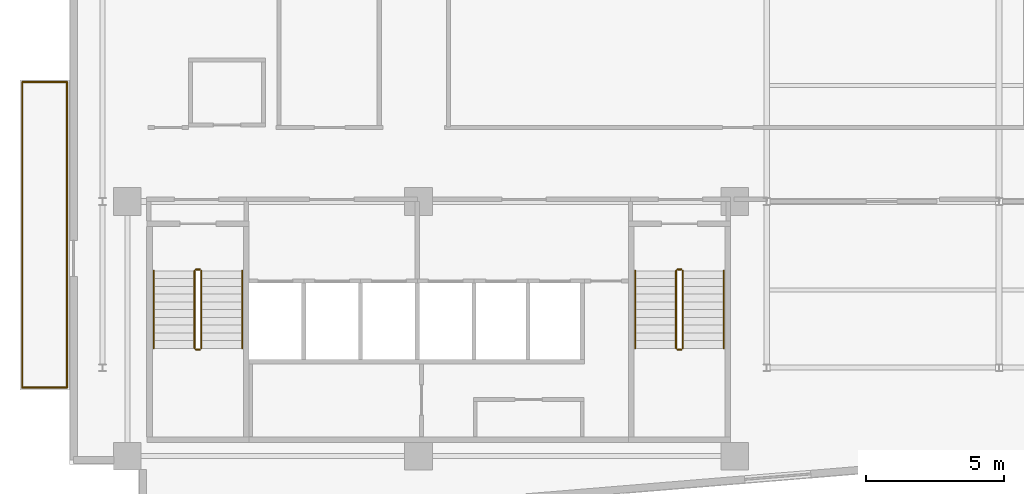
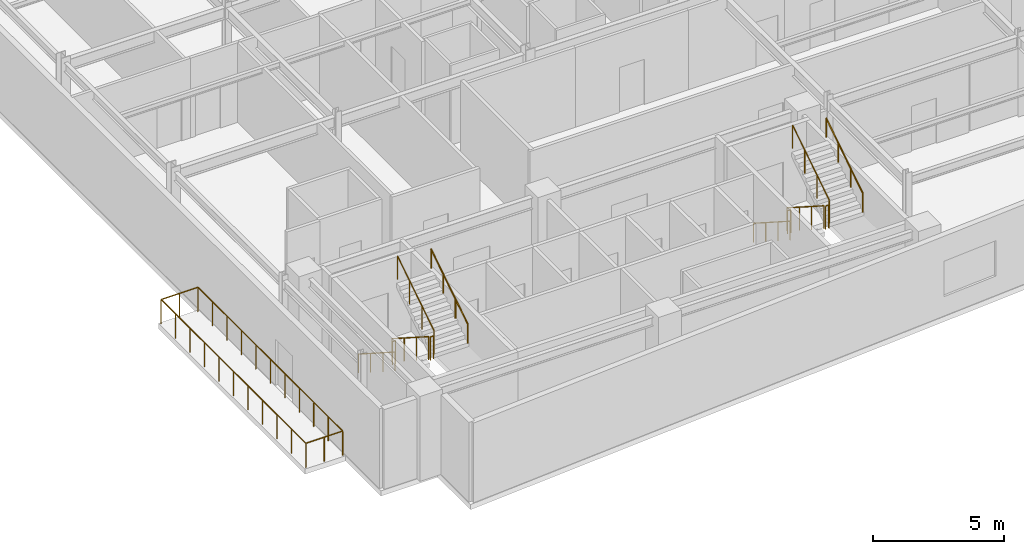
# One storey, part 15 of 17: 16 railings.
"""IFC4 building model written with IfcOpenShell, lengths in metres."""

from ifc_helpers import new_model, si_unit, direction, frame, origin, origin_2d, place, context, subcontext, project, spatial, circle, extrude, material, type_object, element, save


model = new_model("IFC4")

# Units and contexts
model_context = context("Model", 3, precision=1e-05, world=origin(), true_north=direction((0.0, 1.0)))
body_context = subcontext(model_context, "Body", "Model", "MODEL_VIEW")
ifc_project = project(units=[si_unit("LENGTHUNIT", "METRE"), si_unit("AREAUNIT", "SQUARE_METRE"), si_unit("VOLUMEUNIT", "CUBIC_METRE"), si_unit("PLANEANGLEUNIT", "RADIAN"), si_unit("MASSUNIT", "GRAM", prefix="KILO")], contexts=[model_context])

# Site, building, storey
site_placement = place(None, origin())
site = spatial("IfcSite", under=ifc_project, at=site_placement, CompositionType="ELEMENT")
building_placement = place(site_placement, origin())
building = spatial("IfcBuilding", under=site, at=building_placement, Name="Varnakote Quay Hospital", CompositionType="ELEMENT")
storey_placement = place(building_placement, frame((0.0, 0.0, 219.75)))
storey = spatial("IfcBuildingStorey", under=building, at=storey_placement, Name="L54", CompositionType="ELEMENT", Elevation=219.75)

# Railings
ifc_material_1 = material(Name="Anodised aluminium 6063-T6 Bronze", Category="aluminium")
railing_type_1 = type_object("IfcRailingType", Name="RLG-EXT-GUARD-1150", PredefinedType="GUARDRAIL", material=ifc_material_1)
railing_1_placement = place(storey_placement, frame((-0.075927734375, 5.280029296875, 0.0)))
element("IfcRailing", 1, at=railing_1_placement, inside=storey, type_object=railing_type_1, Name="L54 Zigzag Prow Healing Terrace Safety Guard", PredefinedType="GUARDRAIL", context=body_context, shape_type="SweptSolid", body=[
    extrude(circle(Radius=0.02392578125, at=origin_2d()), frame((0.0, 0.0, 1.1259765625), z_axis=(-1.0, 0.0, 0.0), x_axis=(0.0, -1.0, 0.0)), (0.0, 0.0, 1.0), 1.6240234375),
    extrude(circle(Radius=0.02099609375, at=origin_2d()), origin(), (0.0, 0.0, 1.0), 1.101806640625),
    extrude(circle(Radius=0.02099609375, at=origin_2d()), frame((-0.81201171875, 0.0, 0.0)), (0.0, 0.0, 1.0), 1.101806640625),
    extrude(circle(Radius=0.02099609375, at=origin_2d()), frame((-1.6240234375, 0.0, 0.0)), (0.0, 0.0, 1.0), 1.101806640625),
])
railing_2_placement = place(storey_placement, frame((-1.699951171875, 5.280029296875, 0.0)))
element("IfcRailing", 2, at=railing_2_placement, inside=storey, type_object=railing_type_1, Name="L54 Zigzag Prow Healing Terrace Safety Guard", PredefinedType="GUARDRAIL", context=body_context, shape_type="SweptSolid", body=[
    extrude(circle(Radius=0.02392578125, at=origin_2d()), frame((0.0, 0.0, 1.1259765625), z_axis=(0.0, 1.0, 0.0), x_axis=(-1.0, 0.0, 0.0)), (0.0, 0.0, 1.0), 11.0400390625),
    extrude(circle(Radius=0.02099609375, at=origin_2d()), origin(), (0.0, 0.0, 1.0), 1.101806640625),
    extrude(circle(Radius=0.02099609375, at=origin_2d()), frame((0.0, 1.10400390625, 0.0)), (0.0, 0.0, 1.0), 1.101806640625),
    extrude(circle(Radius=0.02099609375, at=origin_2d()), frame((0.0, 2.2080078125, 0.0)), (0.0, 0.0, 1.0), 1.101806640625),
    extrude(circle(Radius=0.02099609375, at=origin_2d()), frame((0.0, 3.31201171875, 0.0)), (0.0, 0.0, 1.0), 1.101806640625),
    extrude(circle(Radius=0.02099609375, at=origin_2d()), frame((0.0, 4.416015625, 0.0)), (0.0, 0.0, 1.0), 1.101806640625),
    extrude(circle(Radius=0.02099609375, at=origin_2d()), frame((0.0, 5.52001953125, 0.0)), (0.0, 0.0, 1.0), 1.101806640625),
    extrude(circle(Radius=0.02099609375, at=origin_2d()), frame((0.0, 6.6240234375, 0.0)), (0.0, 0.0, 1.0), 1.101806640625),
    extrude(circle(Radius=0.02099609375, at=origin_2d()), frame((0.0, 7.72802734375, 0.0)), (0.0, 0.0, 1.0), 1.101806640625),
    extrude(circle(Radius=0.02099609375, at=origin_2d()), frame((0.0, 8.83203125, 0.0)), (0.0, 0.0, 1.0), 1.101806640625),
    extrude(circle(Radius=0.02099609375, at=origin_2d()), frame((0.0, 9.93603515625, 0.0)), (0.0, 0.0, 1.0), 1.101806640625),
    extrude(circle(Radius=0.02099609375, at=origin_2d()), frame((0.0, 11.0400390625, 0.0)), (0.0, 0.0, 1.0), 1.101806640625),
])
railing_3_placement = place(storey_placement, frame((-1.699951171875, 16.320068359375, 0.0)))
element("IfcRailing", 3, at=railing_3_placement, inside=storey, type_object=railing_type_1, Name="L54 Zigzag Prow Healing Terrace Safety Guard", PredefinedType="GUARDRAIL", context=body_context, shape_type="SweptSolid", body=[
    extrude(circle(Radius=0.02392578125, at=origin_2d()), frame((0.0, 0.0, 1.1259765625), z_axis=(1.0, 0.0, 0.0), x_axis=(0.0, 1.0, 0.0)), (0.0, 0.0, 1.0), 1.6240234375),
    extrude(circle(Radius=0.02099609375, at=origin_2d()), origin(), (0.0, 0.0, 1.0), 1.101806640625),
    extrude(circle(Radius=0.02099609375, at=origin_2d()), frame((0.81201171875, 0.0, 0.0)), (0.0, 0.0, 1.0), 1.101806640625),
    extrude(circle(Radius=0.02099609375, at=origin_2d()), frame((1.6240234375, 0.0, 0.0)), (0.0, 0.0, 1.0), 1.101806640625),
])
railing_4_placement = place(storey_placement, frame((-0.075927734375, 16.320068359375, 0.0)))
element("IfcRailing", 4, at=railing_4_placement, inside=storey, type_object=railing_type_1, Name="L54 Zigzag Prow Healing Terrace Safety Guard", PredefinedType="GUARDRAIL", context=body_context, shape_type="SweptSolid", body=[
    extrude(circle(Radius=0.02392578125, at=origin_2d()), frame((0.0, 0.0, 1.1259765625), z_axis=(0.0, -1.0, 0.0), x_axis=(1.0, 0.0, 0.0)), (0.0, 0.0, 1.0), 11.0400390625),
    extrude(circle(Radius=0.02099609375, at=origin_2d()), origin(), (0.0, 0.0, 1.0), 1.101806640625),
    extrude(circle(Radius=0.02099609375, at=origin_2d()), frame((0.0, -1.10400390625, 0.0)), (0.0, 0.0, 1.0), 1.101806640625),
    extrude(circle(Radius=0.02099609375, at=origin_2d()), frame((0.0, -2.2080078125, 0.0)), (0.0, 0.0, 1.0), 1.101806640625),
    extrude(circle(Radius=0.02099609375, at=origin_2d()), frame((0.0, -3.31201171875, 0.0)), (0.0, 0.0, 1.0), 1.101806640625),
    extrude(circle(Radius=0.02099609375, at=origin_2d()), frame((0.0, -4.416015625, 0.0)), (0.0, 0.0, 1.0), 1.101806640625),
    extrude(circle(Radius=0.02099609375, at=origin_2d()), frame((0.0, -5.52001953125, 0.0)), (0.0, 0.0, 1.0), 1.101806640625),
    extrude(circle(Radius=0.02099609375, at=origin_2d()), frame((0.0, -6.6240234375, 0.0)), (0.0, 0.0, 1.0), 1.101806640625),
    extrude(circle(Radius=0.02099609375, at=origin_2d()), frame((0.0, -7.72802734375, 0.0)), (0.0, 0.0, 1.0), 1.101806640625),
    extrude(circle(Radius=0.02099609375, at=origin_2d()), frame((0.0, -8.83203125, 0.0)), (0.0, 0.0, 1.0), 1.101806640625),
    extrude(circle(Radius=0.02099609375, at=origin_2d()), frame((0.0, -9.93603515625, 0.0)), (0.0, 0.0, 1.0), 1.101806640625),
    extrude(circle(Radius=0.02099609375, at=origin_2d()), frame((0.0, -11.0400390625, 0.0)), (0.0, 0.0, 1.0), 1.101806640625),
])
ifc_material_2 = material(Name="Brushed stainless steel balustrade", Category="steel")
railing_type_2 = type_object("IfcRailingType", Name="RLG-STAIR-GUARD-1150", PredefinedType="GUARDRAIL", material=ifc_material_2)
railing_5_placement = place(storey_placement, frame((4.530029296875, 9.5, 0.179443359375)))
element("IfcRailing", 5, at=railing_5_placement, inside=storey, type_object=railing_type_2, Name="L54 ST-01 stair guard 1", PredefinedType="GUARDRAIL", context=body_context, shape_type="SweptSolid", body=[
    extrude(circle(Radius=0.02392578125, at=origin_2d()), frame((0.0, 0.0, 1.076171875), z_axis=(0.0, -0.841776520102, 0.539826166654), x_axis=(1.0, 0.0, 0.0)), (0.0, 0.0, 1.0), 3.326416015625),
    extrude(circle(Radius=0.02099609375, at=origin_2d()), origin(), (0.0, 0.0, 1.0), 1.052001953125),
    extrude(circle(Radius=0.02099609375, at=origin_2d()), frame((0.0, -0.933349609375, 0.5986328125)), (0.0, 0.0, 1.0), 1.052001953125),
    extrude(circle(Radius=0.02099609375, at=origin_2d()), frame((0.0, -1.86669921875, 1.197021484375)), (0.0, 0.0, 1.0), 1.052001953125),
    extrude(circle(Radius=0.02099609375, at=origin_2d()), frame((0.0, -2.800048828125, 1.795654296875)), (0.0, 0.0, 1.0), 1.052001953125),
])
railing_6_placement = place(storey_placement, frame((4.580078125, 6.64990234375, 1.97509765625)))
element("IfcRailing", 6, at=railing_6_placement, inside=storey, type_object=railing_type_2, Name="L54 ST-01 stair guard 2", PredefinedType="GUARDRAIL", context=body_context, shape_type="SweptSolid", body=[
    extrude(circle(Radius=0.02392578125, at=origin_2d()), frame((0.0, 0.0, 1.076171875), z_axis=(1.0, 0.0, 0.0), x_axis=(0.0, 1.0, 0.0)), (0.0, 0.0, 1.0), 0.139892578125),
    extrude(circle(Radius=0.02099609375, at=origin_2d()), origin(), (0.0, 0.0, 1.0), 1.052001953125),
    extrude(circle(Radius=0.02099609375, at=origin_2d()), frame((0.139892578125, 0.0, 0.0)), (0.0, 0.0, 1.0), 1.052001953125),
])
railing_7_placement = place(storey_placement, frame((4.77001953125, 6.699951171875, 2.154541015625)))
element("IfcRailing", 7, at=railing_7_placement, inside=storey, type_object=railing_type_2, Name="L54 ST-01 stair guard 3", PredefinedType="GUARDRAIL", context=body_context, shape_type="SweptSolid", body=[
    extrude(circle(Radius=0.02392578125, at=origin_2d()), frame((0.0, 0.0, 1.076171875), z_axis=(0.0, 0.841809871826, 0.539774156196), x_axis=(-1.0, 0.0, 0.0)), (0.0, 0.0, 1.0), 3.326171875),
    extrude(circle(Radius=0.02099609375, at=origin_2d()), origin(), (0.0, 0.0, 1.0), 1.052001953125),
    extrude(circle(Radius=0.02099609375, at=origin_2d()), frame((0.0, 0.933349609375, 0.598388671875)), (0.0, 0.0, 1.0), 1.052001953125),
    extrude(circle(Radius=0.02099609375, at=origin_2d()), frame((0.0, 1.86669921875, 1.197021484375)), (0.0, 0.0, 1.0), 1.052001953125),
    extrude(circle(Radius=0.02099609375, at=origin_2d()), frame((0.0, 2.800048828125, 1.79541015625)), (0.0, 0.0, 1.0), 1.052001953125),
])
railing_8_placement = place(storey_placement, frame((4.580078125, 9.550048828125, 0.0)))
element("IfcRailing", 8, at=railing_8_placement, inside=storey, type_object=railing_type_2, Name="L54 ST-01 stair guard 4", PredefinedType="GUARDRAIL", context=body_context, shape_type="SweptSolid", body=[
    extrude(circle(Radius=0.02392578125, at=origin_2d()), frame((0.0, 0.0, 1.076171875), z_axis=(1.0, 0.0, 0.0), x_axis=(0.0, 1.0, 0.0)), (0.0, 0.0, 1.0), 0.139892578125),
    extrude(circle(Radius=0.02099609375, at=origin_2d()), origin(), (0.0, 0.0, 1.0), 1.052001953125),
    extrude(circle(Radius=0.02099609375, at=origin_2d()), frame((0.139892578125, 0.0, 0.0)), (0.0, 0.0, 1.0), 1.052001953125),
])
railing_9_placement = place(storey_placement, frame((21.929931640625, 9.5, 0.179443359375)))
element("IfcRailing", 9, at=railing_9_placement, inside=storey, type_object=railing_type_2, Name="L54 ST-02 stair guard 1", PredefinedType="GUARDRAIL", context=body_context, shape_type="SweptSolid", body=[
    extrude(circle(Radius=0.02392578125, at=origin_2d()), frame((0.0, 0.0, 1.076171875), z_axis=(0.0, -0.841776520102, 0.539826166654), x_axis=(1.0, 0.0, 0.0)), (0.0, 0.0, 1.0), 3.326416015625),
    extrude(circle(Radius=0.02099609375, at=origin_2d()), origin(), (0.0, 0.0, 1.0), 1.052001953125),
    extrude(circle(Radius=0.02099609375, at=origin_2d()), frame((0.0, -0.933349609375, 0.5986328125)), (0.0, 0.0, 1.0), 1.052001953125),
    extrude(circle(Radius=0.02099609375, at=origin_2d()), frame((0.0, -1.86669921875, 1.197021484375)), (0.0, 0.0, 1.0), 1.052001953125),
    extrude(circle(Radius=0.02099609375, at=origin_2d()), frame((0.0, -2.800048828125, 1.795654296875)), (0.0, 0.0, 1.0), 1.052001953125),
])
railing_10_placement = place(storey_placement, frame((21.97998046875, 6.64990234375, 1.97509765625)))
element("IfcRailing", 10, at=railing_10_placement, inside=storey, type_object=railing_type_2, Name="L54 ST-02 stair guard 2", PredefinedType="GUARDRAIL", context=body_context, shape_type="SweptSolid", body=[
    extrude(circle(Radius=0.02392578125, at=origin_2d()), frame((0.0, 0.0, 1.076171875), z_axis=(1.0, 0.0, 0.0), x_axis=(0.0, 1.0, 0.0)), (0.0, 0.0, 1.0), 0.14013671875),
    extrude(circle(Radius=0.02099609375, at=origin_2d()), origin(), (0.0, 0.0, 1.0), 1.052001953125),
    extrude(circle(Radius=0.02099609375, at=origin_2d()), frame((0.14013671875, 0.0, 0.0)), (0.0, 0.0, 1.0), 1.052001953125),
])
railing_11_placement = place(storey_placement, frame((22.169921875, 6.699951171875, 2.154541015625)))
element("IfcRailing", 11, at=railing_11_placement, inside=storey, type_object=railing_type_2, Name="L54 ST-02 stair guard 3", PredefinedType="GUARDRAIL", context=body_context, shape_type="SweptSolid", body=[
    extrude(circle(Radius=0.02392578125, at=origin_2d()), frame((0.0, 0.0, 1.076171875), z_axis=(0.0, 0.841809871826, 0.539774156196), x_axis=(-1.0, 0.0, 0.0)), (0.0, 0.0, 1.0), 3.326171875),
    extrude(circle(Radius=0.02099609375, at=origin_2d()), origin(), (0.0, 0.0, 1.0), 1.052001953125),
    extrude(circle(Radius=0.02099609375, at=origin_2d()), frame((0.0, 0.933349609375, 0.598388671875)), (0.0, 0.0, 1.0), 1.052001953125),
    extrude(circle(Radius=0.02099609375, at=origin_2d()), frame((0.0, 1.86669921875, 1.197021484375)), (0.0, 0.0, 1.0), 1.052001953125),
    extrude(circle(Radius=0.02099609375, at=origin_2d()), frame((0.0, 2.800048828125, 1.79541015625)), (0.0, 0.0, 1.0), 1.052001953125),
])
railing_12_placement = place(storey_placement, frame((21.97998046875, 9.550048828125, 0.0)))
element("IfcRailing", 12, at=railing_12_placement, inside=storey, type_object=railing_type_2, Name="L54 ST-02 stair guard 4", PredefinedType="GUARDRAIL", context=body_context, shape_type="SweptSolid", body=[
    extrude(circle(Radius=0.02392578125, at=origin_2d()), frame((0.0, 0.0, 1.076171875), z_axis=(1.0, 0.0, 0.0), x_axis=(0.0, 1.0, 0.0)), (0.0, 0.0, 1.0), 0.14013671875),
    extrude(circle(Radius=0.02099609375, at=origin_2d()), origin(), (0.0, 0.0, 1.0), 1.052001953125),
    extrude(circle(Radius=0.02099609375, at=origin_2d()), frame((0.14013671875, 0.0, 0.0)), (0.0, 0.0, 1.0), 1.052001953125),
])
ifc_material_3 = material(Name="Brushed stainless steel handrail", Category="steel")
railing_type_3 = type_object("IfcRailingType", Name="RLG-STAIR-HND-920", PredefinedType="HANDRAIL", material=ifc_material_3)
railing_13_placement = place(storey_placement, frame((3.050048828125, 9.5, 0.179443359375)))
element("IfcRailing", 13, at=railing_13_placement, inside=storey, type_object=railing_type_3, Name="L54 ST-01 stair handrail 1", PredefinedType="HANDRAIL", context=body_context, shape_type="SweptSolid", body=[
    extrude(circle(Radius=0.02392578125, at=origin_2d()), frame((0.0, 0.0, 0.8759765625), z_axis=(0.0, -0.841776520102, 0.539826166654), x_axis=(1.0, 0.0, 0.0)), (0.0, 0.0, 1.0), 3.326416015625),
    extrude(circle(Radius=0.02099609375, at=origin_2d()), origin(), (0.0, 0.0, 1.0), 0.851806640625),
    extrude(circle(Radius=0.02099609375, at=origin_2d()), frame((0.0, -0.933349609375, 0.5986328125)), (0.0, 0.0, 1.0), 0.851806640625),
    extrude(circle(Radius=0.02099609375, at=origin_2d()), frame((0.0, -1.86669921875, 1.197021484375)), (0.0, 0.0, 1.0), 0.851806640625),
    extrude(circle(Radius=0.02099609375, at=origin_2d()), frame((0.0, -2.800048828125, 1.795654296875)), (0.0, 0.0, 1.0), 0.851806640625),
])
railing_14_placement = place(storey_placement, frame((6.25, 6.699951171875, 2.154541015625)))
element("IfcRailing", 14, at=railing_14_placement, inside=storey, type_object=railing_type_3, Name="L54 ST-01 stair handrail 2", PredefinedType="HANDRAIL", context=body_context, shape_type="SweptSolid", body=[
    extrude(circle(Radius=0.02392578125, at=origin_2d()), frame((0.0, 0.0, 0.8759765625), z_axis=(0.0, 0.841809871826, 0.539774156196), x_axis=(-1.0, 0.0, 0.0)), (0.0, 0.0, 1.0), 3.326171875),
    extrude(circle(Radius=0.02099609375, at=origin_2d()), origin(), (0.0, 0.0, 1.0), 0.851806640625),
    extrude(circle(Radius=0.02099609375, at=origin_2d()), frame((0.0, 0.933349609375, 0.598388671875)), (0.0, 0.0, 1.0), 0.851806640625),
    extrude(circle(Radius=0.02099609375, at=origin_2d()), frame((0.0, 1.86669921875, 1.197021484375)), (0.0, 0.0, 1.0), 0.851806640625),
    extrude(circle(Radius=0.02099609375, at=origin_2d()), frame((0.0, 2.800048828125, 1.79541015625)), (0.0, 0.0, 1.0), 0.851806640625),
])
railing_15_placement = place(storey_placement, frame((20.449951171875, 9.5, 0.179443359375)))
element("IfcRailing", 15, at=railing_15_placement, inside=storey, type_object=railing_type_3, Name="L54 ST-02 stair handrail 1", PredefinedType="HANDRAIL", context=body_context, shape_type="SweptSolid", body=[
    extrude(circle(Radius=0.02392578125, at=origin_2d()), frame((0.0, 0.0, 0.8759765625), z_axis=(0.0, -0.841776520102, 0.539826166654), x_axis=(1.0, 0.0, 0.0)), (0.0, 0.0, 1.0), 3.326416015625),
    extrude(circle(Radius=0.02099609375, at=origin_2d()), origin(), (0.0, 0.0, 1.0), 0.851806640625),
    extrude(circle(Radius=0.02099609375, at=origin_2d()), frame((0.0, -0.933349609375, 0.5986328125)), (0.0, 0.0, 1.0), 0.851806640625),
    extrude(circle(Radius=0.02099609375, at=origin_2d()), frame((0.0, -1.86669921875, 1.197021484375)), (0.0, 0.0, 1.0), 0.851806640625),
    extrude(circle(Radius=0.02099609375, at=origin_2d()), frame((0.0, -2.800048828125, 1.795654296875)), (0.0, 0.0, 1.0), 0.851806640625),
])
railing_16_placement = place(storey_placement, frame((23.64990234375, 6.699951171875, 2.154541015625)))
element("IfcRailing", 16, at=railing_16_placement, inside=storey, type_object=railing_type_3, Name="L54 ST-02 stair handrail 2", PredefinedType="HANDRAIL", context=body_context, shape_type="SweptSolid", body=[
    extrude(circle(Radius=0.02392578125, at=origin_2d()), frame((0.0, 0.0, 0.8759765625), z_axis=(0.0, 0.841809871826, 0.539774156196), x_axis=(-1.0, 0.0, 0.0)), (0.0, 0.0, 1.0), 3.326171875),
    extrude(circle(Radius=0.02099609375, at=origin_2d()), origin(), (0.0, 0.0, 1.0), 0.851806640625),
    extrude(circle(Radius=0.02099609375, at=origin_2d()), frame((0.0, 0.933349609375, 0.598388671875)), (0.0, 0.0, 1.0), 0.851806640625),
    extrude(circle(Radius=0.02099609375, at=origin_2d()), frame((0.0, 1.86669921875, 1.197021484375)), (0.0, 0.0, 1.0), 0.851806640625),
    extrude(circle(Radius=0.02099609375, at=origin_2d()), frame((0.0, 2.800048828125, 1.79541015625)), (0.0, 0.0, 1.0), 0.851806640625),
])

save(model, "model.ifc")
